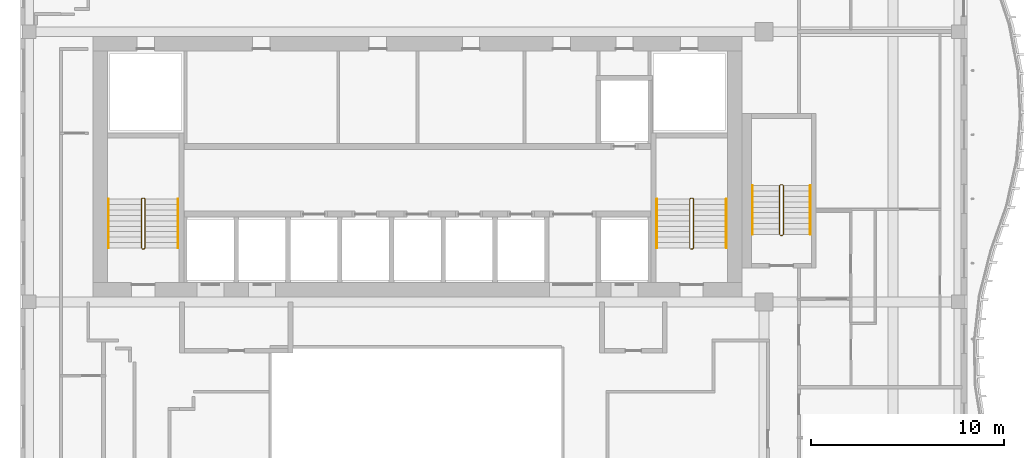
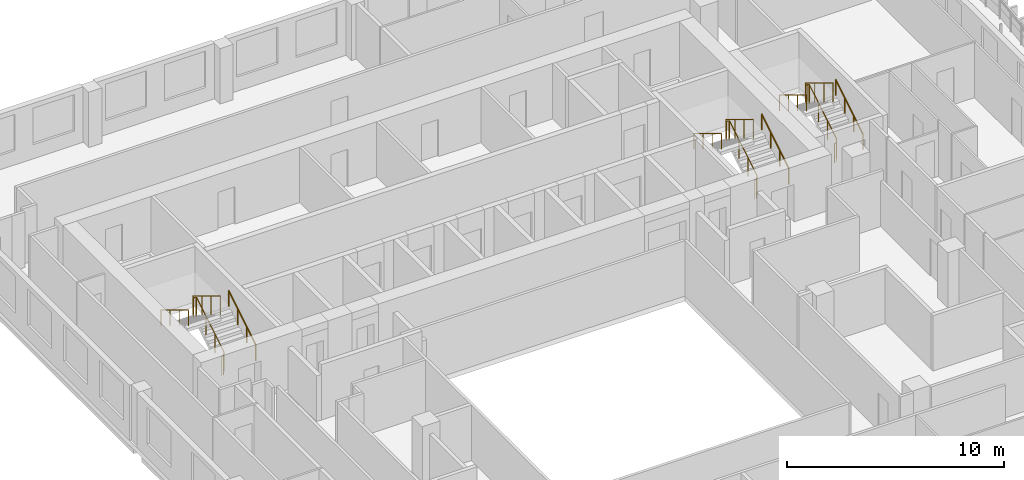
# One storey, part 17 of 18: 9 railings.
"""IFC4 building model written with IfcOpenShell, lengths in metres."""

from ifc_helpers import new_model, si_unit, direction, frame, origin, origin_2d, place, context, subcontext, project, spatial, circle, extrude, material, type_object, element, save


model = new_model("IFC4")

# Units and contexts
model_context = context("Model", 3, precision=1e-05, world=origin(), true_north=direction((0.0, 1.0)))
body_context = subcontext(model_context, "Body", "Model", "MODEL_VIEW")
ifc_project = project(units=[si_unit("LENGTHUNIT", "METRE"), si_unit("AREAUNIT", "SQUARE_METRE"), si_unit("VOLUMEUNIT", "CUBIC_METRE"), si_unit("PLANEANGLEUNIT", "RADIAN"), si_unit("MASSUNIT", "GRAM", prefix="KILO")], contexts=[model_context])

# Site, building, storey
site_placement = place(None, origin())
site = spatial("IfcSite", under=ifc_project, at=site_placement, CompositionType="ELEMENT")
building_placement = place(site_placement, origin())
building = spatial("IfcBuilding", under=site, at=building_placement, Name="Kilnfold Tower and Market Hall", CompositionType="ELEMENT")
storey_placement = place(building_placement, frame((0.0, 0.0, 249.199951171875)))
storey = spatial("IfcBuildingStorey", under=building, at=storey_placement, Name="L60", CompositionType="ELEMENT", Elevation=249.199951171875)

# Railings
ifc_material_1 = material(Name="Stainless steel 316", Category="steel")
railing_type_1 = type_object("IfcRailingType", Name="CORE STAIR GUARD 1100", PredefinedType="GUARDRAIL", material=ifc_material_1)
railing_1_placement = place(storey_placement, frame((-13.199951171875, 10.75, 0.0)))
element("IfcRailing", 1, at=railing_1_placement, inside=storey, type_object=railing_type_1, Name="L60 ST1 stair guard 1", PredefinedType="GUARDRAIL", context=body_context, shape_type="SweptSolid", body=[
    extrude(circle(Radius=0.02392578125, at=origin_2d()), frame((0.0, 0.0, 1.076171875), z_axis=(1.0, 0.0, 0.0), x_axis=(0.0, 1.0, 0.0)), (0.0, 0.0, 1.0), 0.099853515625),
    extrude(circle(Radius=0.02392578125, at=origin_2d()), frame((0.099853515625, 0.0, 1.076171875), z_axis=(0.271562723297, 0.271562723297, 0.923313259209), x_axis=(-0.707106781187, 0.707106781187, 0.0)), (0.0, 0.0, 1.0), 0.184326171875),
    extrude(circle(Radius=0.02392578125, at=origin_2d()), frame((0.14990234375, 0.050048828125, 1.24609375), z_axis=(0.0, 0.854821627497, 0.518921945155), x_axis=(-1.0, 0.0, 0.0)), (0.0, 0.0, 1.0), 2.947998046875),
    extrude(circle(Radius=0.02392578125, at=origin_2d()), frame((0.14990234375, 2.570068359375, 2.77587890625), z_axis=(-0.707106781187, 0.707106781187, 0.0), x_axis=(-0.707106781187, -0.707106781187, 0.0)), (0.0, 0.0, 1.0), 0.07080078125),
    extrude(circle(Radius=0.02392578125, at=origin_2d()), frame((0.099853515625, 2.6201171875, 2.77587890625), z_axis=(-1.0, 0.0, 0.0), x_axis=(0.0, -1.0, 0.0)), (0.0, 0.0, 1.0), 0.099853515625),
    extrude(circle(Radius=0.02392578125, at=origin_2d()), frame((0.0, 2.6201171875, 2.77587890625), z_axis=(-0.271562723297, -0.271562723297, 0.923313259209), x_axis=(0.707106781187, -0.707106781187, 0.0)), (0.0, 0.0, 1.0), 0.184326171875),
    extrude(circle(Radius=0.02392578125, at=origin_2d()), frame((-0.050048828125, 2.570068359375, 2.9462890625), z_axis=(0.0, -0.85478489116, 0.518982456201), x_axis=(1.0, 0.0, 0.0)), (0.0, 0.0, 1.0), 2.9482421875),
    extrude(circle(Radius=0.02099609375, at=origin_2d()), origin(), (0.0, 0.0, 1.0), 1.052001953125),
    extrude(circle(Radius=0.02099609375, at=origin_2d()), frame((0.099853515625, 0.0, 0.0)), (0.0, 0.0, 1.0), 1.052001953125),
    extrude(circle(Radius=0.02099609375, at=origin_2d()), frame((0.14990234375, 0.050048828125, 0.170166015625)), (0.0, 0.0, 1.0), 1.052001953125),
    extrude(circle(Radius=0.02099609375, at=origin_2d()), frame((0.14990234375, 0.89013671875, 0.68017578125)), (0.0, 0.0, 1.0), 1.052001953125),
    extrude(circle(Radius=0.02099609375, at=origin_2d()), frame((0.14990234375, 1.72998046875, 1.18994140625)), (0.0, 0.0, 1.0), 1.052001953125),
    extrude(circle(Radius=0.02099609375, at=origin_2d()), frame((0.14990234375, 2.570068359375, 1.699951171875)), (0.0, 0.0, 1.0), 1.052001953125),
    extrude(circle(Radius=0.02099609375, at=origin_2d()), frame((0.099853515625, 2.6201171875, 1.699951171875)), (0.0, 0.0, 1.0), 1.052001953125),
    extrude(circle(Radius=0.02099609375, at=origin_2d()), frame((0.0, 2.6201171875, 1.699951171875)), (0.0, 0.0, 1.0), 1.052001953125),
    extrude(circle(Radius=0.02099609375, at=origin_2d()), frame((-0.050048828125, 2.570068359375, 1.8701171875)), (0.0, 0.0, 1.0), 1.052001953125),
    extrude(circle(Radius=0.02099609375, at=origin_2d()), frame((-0.050048828125, 1.72998046875, 2.380126953125)), (0.0, 0.0, 1.0), 1.052001953125),
    extrude(circle(Radius=0.02099609375, at=origin_2d()), frame((-0.050048828125, 0.89013671875, 2.89013671875)), (0.0, 0.0, 1.0), 1.052001953125),
    extrude(circle(Radius=0.02099609375, at=origin_2d()), frame((-0.050048828125, 0.050048828125, 3.400146484375)), (0.0, 0.0, 1.0), 1.052001953125),
])
railing_2_placement = place(storey_placement, frame((15.199951171875, 10.75, 0.0)))
element("IfcRailing", 2, at=railing_2_placement, inside=storey, type_object=railing_type_1, Name="L60 ST2 stair guard 1", PredefinedType="GUARDRAIL", context=body_context, shape_type="SweptSolid", body=[
    extrude(circle(Radius=0.02392578125, at=origin_2d()), frame((0.0, 0.0, 1.076171875), z_axis=(1.0, 0.0, 0.0), x_axis=(0.0, 1.0, 0.0)), (0.0, 0.0, 1.0), 0.10009765625),
    extrude(circle(Radius=0.02392578125, at=origin_2d()), frame((0.10009765625, 0.0, 1.076171875), z_axis=(0.271562723297, 0.271562723297, 0.923313259209), x_axis=(-0.707106781187, 0.707106781187, 0.0)), (0.0, 0.0, 1.0), 0.184326171875),
    extrude(circle(Radius=0.02392578125, at=origin_2d()), frame((0.150146484375, 0.050048828125, 1.24609375), z_axis=(0.0, 0.854821627497, 0.518921945155), x_axis=(-1.0, 0.0, 0.0)), (0.0, 0.0, 1.0), 2.947998046875),
    extrude(circle(Radius=0.02392578125, at=origin_2d()), frame((0.150146484375, 2.570068359375, 2.77587890625), z_axis=(-0.707106781187, 0.707106781187, 0.0), x_axis=(-0.707106781187, -0.707106781187, 0.0)), (0.0, 0.0, 1.0), 0.07080078125),
    extrude(circle(Radius=0.02392578125, at=origin_2d()), frame((0.10009765625, 2.6201171875, 2.77587890625), z_axis=(-1.0, 0.0, 0.0), x_axis=(0.0, -1.0, 0.0)), (0.0, 0.0, 1.0), 0.10009765625),
    extrude(circle(Radius=0.02392578125, at=origin_2d()), frame((0.0, 2.6201171875, 2.77587890625), z_axis=(-0.271562723297, -0.271562723297, 0.923313259209), x_axis=(0.707106781187, -0.707106781187, 0.0)), (0.0, 0.0, 1.0), 0.184326171875),
    extrude(circle(Radius=0.02392578125, at=origin_2d()), frame((-0.050048828125, 2.570068359375, 2.9462890625), z_axis=(0.0, -0.85478489116, 0.518982456201), x_axis=(1.0, 0.0, 0.0)), (0.0, 0.0, 1.0), 2.9482421875),
    extrude(circle(Radius=0.02099609375, at=origin_2d()), origin(), (0.0, 0.0, 1.0), 1.052001953125),
    extrude(circle(Radius=0.02099609375, at=origin_2d()), frame((0.10009765625, 0.0, 0.0)), (0.0, 0.0, 1.0), 1.052001953125),
    extrude(circle(Radius=0.02099609375, at=origin_2d()), frame((0.150146484375, 0.050048828125, 0.170166015625)), (0.0, 0.0, 1.0), 1.052001953125),
    extrude(circle(Radius=0.02099609375, at=origin_2d()), frame((0.150146484375, 0.89013671875, 0.68017578125)), (0.0, 0.0, 1.0), 1.052001953125),
    extrude(circle(Radius=0.02099609375, at=origin_2d()), frame((0.150146484375, 1.72998046875, 1.18994140625)), (0.0, 0.0, 1.0), 1.052001953125),
    extrude(circle(Radius=0.02099609375, at=origin_2d()), frame((0.150146484375, 2.570068359375, 1.699951171875)), (0.0, 0.0, 1.0), 1.052001953125),
    extrude(circle(Radius=0.02099609375, at=origin_2d()), frame((0.10009765625, 2.6201171875, 1.699951171875)), (0.0, 0.0, 1.0), 1.052001953125),
    extrude(circle(Radius=0.02099609375, at=origin_2d()), frame((0.0, 2.6201171875, 1.699951171875)), (0.0, 0.0, 1.0), 1.052001953125),
    extrude(circle(Radius=0.02099609375, at=origin_2d()), frame((-0.050048828125, 2.570068359375, 1.8701171875)), (0.0, 0.0, 1.0), 1.052001953125),
    extrude(circle(Radius=0.02099609375, at=origin_2d()), frame((-0.050048828125, 1.72998046875, 2.380126953125)), (0.0, 0.0, 1.0), 1.052001953125),
    extrude(circle(Radius=0.02099609375, at=origin_2d()), frame((-0.050048828125, 0.89013671875, 2.89013671875)), (0.0, 0.0, 1.0), 1.052001953125),
    extrude(circle(Radius=0.02099609375, at=origin_2d()), frame((-0.050048828125, 0.050048828125, 3.400146484375)), (0.0, 0.0, 1.0), 1.052001953125),
])
railing_3_placement = place(storey_placement, frame((19.85009765625, 11.449951171875, 0.0)))
element("IfcRailing", 3, at=railing_3_placement, inside=storey, type_object=railing_type_1, Name="L60 ST5 stair guard 1", PredefinedType="GUARDRAIL", context=body_context, shape_type="SweptSolid", body=[
    extrude(circle(Radius=0.02392578125, at=origin_2d()), frame((0.0, 0.0, 1.076171875), z_axis=(1.0, 0.0, 0.0), x_axis=(0.0, 1.0, 0.0)), (0.0, 0.0, 1.0), 0.099853515625),
    extrude(circle(Radius=0.02392578125, at=origin_2d()), frame((0.099853515625, 0.0, 1.076171875), z_axis=(0.271562723297, 0.271562723297, 0.923313259209), x_axis=(-0.707106781187, 0.707106781187, 0.0)), (0.0, 0.0, 1.0), 0.184326171875),
    extrude(circle(Radius=0.02392578125, at=origin_2d()), frame((0.14990234375, 0.050048828125, 1.24609375), z_axis=(0.0, 0.854821627497, 0.518921945155), x_axis=(-1.0, 0.0, 0.0)), (0.0, 0.0, 1.0), 2.947998046875),
    extrude(circle(Radius=0.02392578125, at=origin_2d()), frame((0.14990234375, 2.570068359375, 2.77587890625), z_axis=(-0.707106781187, 0.707106781187, 0.0), x_axis=(-0.707106781187, -0.707106781187, 0.0)), (0.0, 0.0, 1.0), 0.07080078125),
    extrude(circle(Radius=0.02392578125, at=origin_2d()), frame((0.099853515625, 2.6201171875, 2.77587890625), z_axis=(-1.0, 0.0, 0.0), x_axis=(0.0, -1.0, 0.0)), (0.0, 0.0, 1.0), 0.099853515625),
    extrude(circle(Radius=0.02392578125, at=origin_2d()), frame((0.0, 2.6201171875, 2.77587890625), z_axis=(-0.271562723297, -0.271562723297, 0.923313259209), x_axis=(0.707106781187, -0.707106781187, 0.0)), (0.0, 0.0, 1.0), 0.184326171875),
    extrude(circle(Radius=0.02392578125, at=origin_2d()), frame((-0.050048828125, 2.570068359375, 2.9462890625), z_axis=(0.0, -0.85478489116, 0.518982456201), x_axis=(1.0, 0.0, 0.0)), (0.0, 0.0, 1.0), 2.9482421875),
    extrude(circle(Radius=0.02099609375, at=origin_2d()), origin(), (0.0, 0.0, 1.0), 1.052001953125),
    extrude(circle(Radius=0.02099609375, at=origin_2d()), frame((0.099853515625, 0.0, 0.0)), (0.0, 0.0, 1.0), 1.052001953125),
    extrude(circle(Radius=0.02099609375, at=origin_2d()), frame((0.14990234375, 0.050048828125, 0.170166015625)), (0.0, 0.0, 1.0), 1.052001953125),
    extrude(circle(Radius=0.02099609375, at=origin_2d()), frame((0.14990234375, 0.89013671875, 0.68017578125)), (0.0, 0.0, 1.0), 1.052001953125),
    extrude(circle(Radius=0.02099609375, at=origin_2d()), frame((0.14990234375, 1.72998046875, 1.18994140625)), (0.0, 0.0, 1.0), 1.052001953125),
    extrude(circle(Radius=0.02099609375, at=origin_2d()), frame((0.14990234375, 2.570068359375, 1.699951171875)), (0.0, 0.0, 1.0), 1.052001953125),
    extrude(circle(Radius=0.02099609375, at=origin_2d()), frame((0.099853515625, 2.6201171875, 1.699951171875)), (0.0, 0.0, 1.0), 1.052001953125),
    extrude(circle(Radius=0.02099609375, at=origin_2d()), frame((0.0, 2.6201171875, 1.699951171875)), (0.0, 0.0, 1.0), 1.052001953125),
    extrude(circle(Radius=0.02099609375, at=origin_2d()), frame((-0.050048828125, 2.570068359375, 1.8701171875)), (0.0, 0.0, 1.0), 1.052001953125),
    extrude(circle(Radius=0.02099609375, at=origin_2d()), frame((-0.050048828125, 1.72998046875, 2.380126953125)), (0.0, 0.0, 1.0), 1.052001953125),
    extrude(circle(Radius=0.02099609375, at=origin_2d()), frame((-0.050048828125, 0.89013671875, 2.89013671875)), (0.0, 0.0, 1.0), 1.052001953125),
    extrude(circle(Radius=0.02099609375, at=origin_2d()), frame((-0.050048828125, 0.050048828125, 3.400146484375)), (0.0, 0.0, 1.0), 1.052001953125),
])
ifc_material_2 = material(Name="Stainless steel 316", Category="steel")
railing_type_2 = type_object("IfcRailingType", Name="CORE STAIR HANDRAIL 900", PredefinedType="HANDRAIL", material=ifc_material_2)
railing_4_placement = place(storey_placement, frame((-11.35009765625, 10.800048828125, 0.170166015625)))
element("IfcRailing", 4, at=railing_4_placement, inside=storey, type_object=railing_type_2, Name="L60 ST1 stair handrail 1", PredefinedType="HANDRAIL", context=body_context, shape_type="SweptSolid", body=[
    extrude(circle(Radius=0.02392578125, at=origin_2d()), frame((0.0, 0.0, 0.8759765625), z_axis=(0.0, 0.854821627497, 0.518921945155), x_axis=(-1.0, 0.0, 0.0)), (0.0, 0.0, 1.0), 2.947998046875),
    extrude(circle(Radius=0.02099609375, at=origin_2d()), origin(), (0.0, 0.0, 1.0), 0.851806640625),
    extrude(circle(Radius=0.02099609375, at=origin_2d()), frame((0.0, 0.840087890625, 0.510009765625)), (0.0, 0.0, 1.0), 0.851806640625),
    extrude(circle(Radius=0.02099609375, at=origin_2d()), frame((0.0, 1.679931640625, 1.019775390625)), (0.0, 0.0, 1.0), 0.851806640625),
    extrude(circle(Radius=0.02099609375, at=origin_2d()), frame((0.0, 2.52001953125, 1.52978515625)), (0.0, 0.0, 1.0), 0.851806640625),
])
railing_5_placement = place(storey_placement, frame((-14.949951171875, 13.320068359375, 1.8701171875)))
element("IfcRailing", 5, at=railing_5_placement, inside=storey, type_object=railing_type_2, Name="L60 ST1 stair handrail 2", PredefinedType="HANDRAIL", context=body_context, shape_type="SweptSolid", body=[
    extrude(circle(Radius=0.02392578125, at=origin_2d()), frame((0.0, 0.0, 0.8759765625), z_axis=(0.0, -0.85478489116, 0.518982456201), x_axis=(1.0, 0.0, 0.0)), (0.0, 0.0, 1.0), 2.9482421875),
    extrude(circle(Radius=0.02099609375, at=origin_2d()), origin(), (0.0, 0.0, 1.0), 0.851806640625),
    extrude(circle(Radius=0.02099609375, at=origin_2d()), frame((0.0, -0.840087890625, 0.510009765625)), (0.0, 0.0, 1.0), 0.851806640625),
    extrude(circle(Radius=0.02099609375, at=origin_2d()), frame((0.0, -1.679931640625, 1.02001953125)), (0.0, 0.0, 1.0), 0.851806640625),
    extrude(circle(Radius=0.02099609375, at=origin_2d()), frame((0.0, -2.52001953125, 1.530029296875)), (0.0, 0.0, 1.0), 0.851806640625),
])
railing_6_placement = place(storey_placement, frame((17.050048828125, 10.800048828125, 0.170166015625)))
element("IfcRailing", 6, at=railing_6_placement, inside=storey, type_object=railing_type_2, Name="L60 ST2 stair handrail 1", PredefinedType="HANDRAIL", context=body_context, shape_type="SweptSolid", body=[
    extrude(circle(Radius=0.02392578125, at=origin_2d()), frame((0.0, 0.0, 0.8759765625), z_axis=(0.0, 0.854821627497, 0.518921945155), x_axis=(-1.0, 0.0, 0.0)), (0.0, 0.0, 1.0), 2.947998046875),
    extrude(circle(Radius=0.02099609375, at=origin_2d()), origin(), (0.0, 0.0, 1.0), 0.851806640625),
    extrude(circle(Radius=0.02099609375, at=origin_2d()), frame((0.0, 0.840087890625, 0.510009765625)), (0.0, 0.0, 1.0), 0.851806640625),
    extrude(circle(Radius=0.02099609375, at=origin_2d()), frame((0.0, 1.679931640625, 1.019775390625)), (0.0, 0.0, 1.0), 0.851806640625),
    extrude(circle(Radius=0.02099609375, at=origin_2d()), frame((0.0, 2.52001953125, 1.52978515625)), (0.0, 0.0, 1.0), 0.851806640625),
])
railing_7_placement = place(storey_placement, frame((13.449951171875, 13.320068359375, 1.8701171875)))
element("IfcRailing", 7, at=railing_7_placement, inside=storey, type_object=railing_type_2, Name="L60 ST2 stair handrail 2", PredefinedType="HANDRAIL", context=body_context, shape_type="SweptSolid", body=[
    extrude(circle(Radius=0.02392578125, at=origin_2d()), frame((0.0, 0.0, 0.8759765625), z_axis=(0.0, -0.85478489116, 0.518982456201), x_axis=(1.0, 0.0, 0.0)), (0.0, 0.0, 1.0), 2.9482421875),
    extrude(circle(Radius=0.02099609375, at=origin_2d()), origin(), (0.0, 0.0, 1.0), 0.851806640625),
    extrude(circle(Radius=0.02099609375, at=origin_2d()), frame((0.0, -0.840087890625, 0.510009765625)), (0.0, 0.0, 1.0), 0.851806640625),
    extrude(circle(Radius=0.02099609375, at=origin_2d()), frame((0.0, -1.679931640625, 1.02001953125)), (0.0, 0.0, 1.0), 0.851806640625),
    extrude(circle(Radius=0.02099609375, at=origin_2d()), frame((0.0, -2.52001953125, 1.530029296875)), (0.0, 0.0, 1.0), 0.851806640625),
])
railing_8_placement = place(storey_placement, frame((21.39990234375, 11.5, 0.170166015625)))
element("IfcRailing", 8, at=railing_8_placement, inside=storey, type_object=railing_type_2, Name="L60 ST5 stair handrail 1", PredefinedType="HANDRAIL", context=body_context, shape_type="SweptSolid", body=[
    extrude(circle(Radius=0.02392578125, at=origin_2d()), frame((0.0, 0.0, 0.8759765625), z_axis=(0.0, 0.854821627497, 0.518921945155), x_axis=(-1.0, 0.0, 0.0)), (0.0, 0.0, 1.0), 2.947998046875),
    extrude(circle(Radius=0.02099609375, at=origin_2d()), origin(), (0.0, 0.0, 1.0), 0.851806640625),
    extrude(circle(Radius=0.02099609375, at=origin_2d()), frame((0.0, 0.840087890625, 0.510009765625)), (0.0, 0.0, 1.0), 0.851806640625),
    extrude(circle(Radius=0.02099609375, at=origin_2d()), frame((0.0, 1.679931640625, 1.019775390625)), (0.0, 0.0, 1.0), 0.851806640625),
    extrude(circle(Radius=0.02099609375, at=origin_2d()), frame((0.0, 2.52001953125, 1.52978515625)), (0.0, 0.0, 1.0), 0.851806640625),
])
railing_9_placement = place(storey_placement, frame((18.39990234375, 14.02001953125, 1.8701171875)))
element("IfcRailing", 9, at=railing_9_placement, inside=storey, type_object=railing_type_2, Name="L60 ST5 stair handrail 2", PredefinedType="HANDRAIL", context=body_context, shape_type="SweptSolid", body=[
    extrude(circle(Radius=0.02392578125, at=origin_2d()), frame((0.0, 0.0, 0.8759765625), z_axis=(0.0, -0.85478489116, 0.518982456201), x_axis=(1.0, 0.0, 0.0)), (0.0, 0.0, 1.0), 2.9482421875),
    extrude(circle(Radius=0.02099609375, at=origin_2d()), origin(), (0.0, 0.0, 1.0), 0.851806640625),
    extrude(circle(Radius=0.02099609375, at=origin_2d()), frame((0.0, -0.840087890625, 0.510009765625)), (0.0, 0.0, 1.0), 0.851806640625),
    extrude(circle(Radius=0.02099609375, at=origin_2d()), frame((0.0, -1.679931640625, 1.02001953125)), (0.0, 0.0, 1.0), 0.851806640625),
    extrude(circle(Radius=0.02099609375, at=origin_2d()), frame((0.0, -2.52001953125, 1.530029296875)), (0.0, 0.0, 1.0), 0.851806640625),
])

save(model, "model.ifc")
